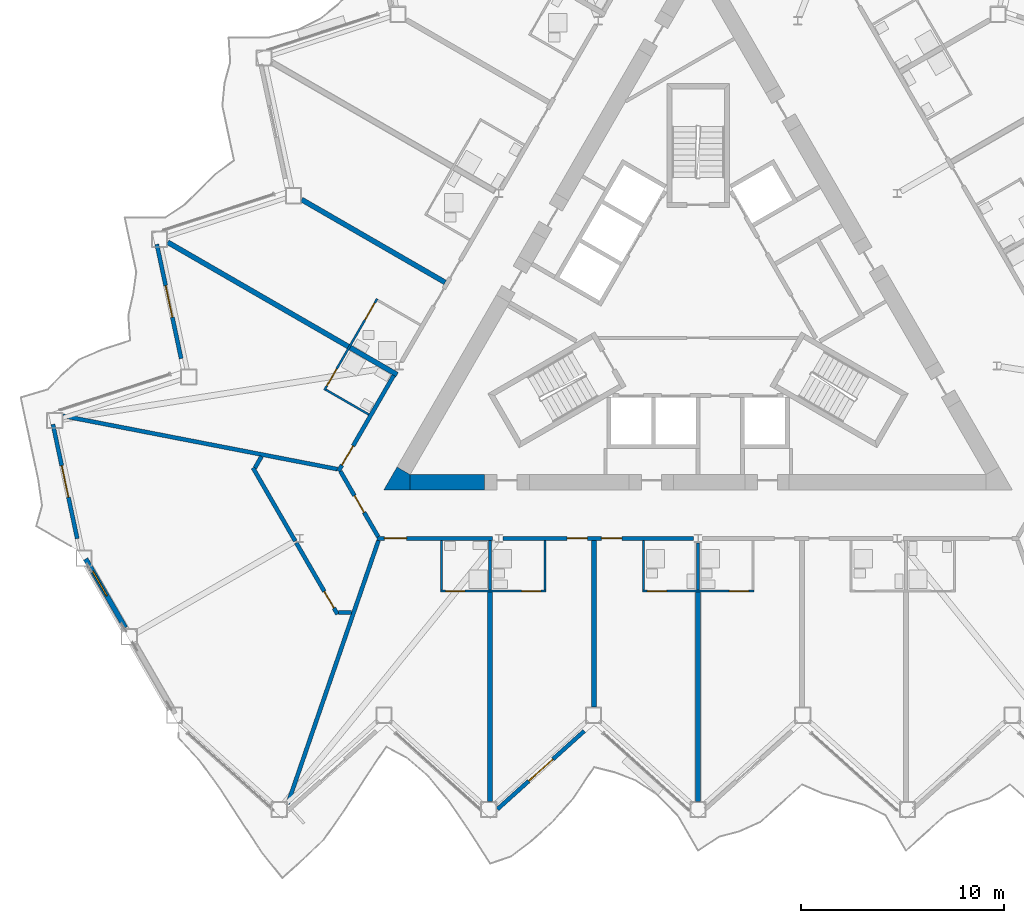
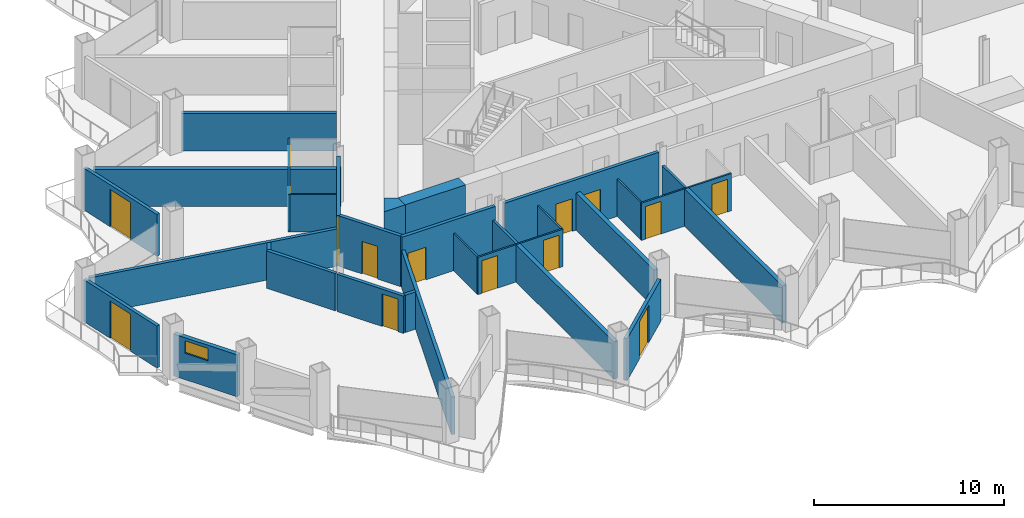
# One storey, part 10 of 23: 30 walls, 15 doors, 1 window, 16 openings.
"""IFC4 building model written with IfcOpenShell, lengths in metres."""

from ifc_helpers import new_model, si_unit, direction, frame, frame_2d, origin, place, context, subcontext, project, spatial, polyline, rectangle, outline, extrude, material, layer, layer_set, type_object, element, fill, save


model = new_model("IFC4")

# Units and contexts
model_context = context("Model", 3, precision=1e-05, world=origin(), true_north=direction((0.0, 1.0)))
body_context = subcontext(model_context, "Body", "Model", "MODEL_VIEW")
ifc_project = project(units=[si_unit("LENGTHUNIT", "METRE"), si_unit("AREAUNIT", "SQUARE_METRE"), si_unit("VOLUMEUNIT", "CUBIC_METRE"), si_unit("PLANEANGLEUNIT", "RADIAN"), si_unit("MASSUNIT", "GRAM", prefix="KILO")], contexts=[model_context])

# Site, building, storey
site_placement = place(None, origin())
site = spatial("IfcSite", under=ifc_project, at=site_placement, CompositionType="ELEMENT")
building_placement = place(site_placement, origin())
building = spatial("IfcBuilding", under=site, at=building_placement, Name="Cormorant Prow Tower", CompositionType="ELEMENT")
storey_placement = place(building_placement, frame((0.0, 0.0, 187.199951171875)))
storey = spatial("IfcBuildingStorey", under=building, at=storey_placement, Name="L40", CompositionType="ELEMENT", Elevation=187.199951171875)

# Walls
ifc_material_1 = material(Name="Concrete 8000 psi", Category="concrete")
ifc_layer_1 = layer(ifc_material_1, 0.75)
ifc_layer_set_1 = layer_set([ifc_layer_1], Name="Concrete 8000 psi")
wall_type_1 = type_object("IfcWallType", Name="Core shear wall 750", PredefinedType="SHEAR", material=ifc_layer_set_1)
wall_1_placement = place(storey_placement, frame((-14.200927734375, -8.573974609375, 0.0), z_axis=(0.0, 0.0, 1.0), x_axis=(1.0, 0.0, 0.0)))
element("IfcWall", 1, at=wall_1_placement, inside=storey, type_object=wall_type_1, Name="Core wall", PredefinedType="SHEAR", context=body_context, shape_type="SweptSolid", body=[
    extrude(rectangle(XDim=3.675537109375, YDim=0.75, at=frame_2d((1.837890625, 0.0))), origin(), (0.0, 0.0, 1.0), 3.25),
])
wall_2_placement = place(storey_placement, origin())
element("IfcWall", 2, at=wall_2_placement, inside=storey, type_object=wall_type_1, Name="Core wall corner", PredefinedType="SHEAR", context=body_context, shape_type="SweptSolid", body=[
    extrude(outline(polyline([(-14.8505859375, -7.823974609375), (-14.200927734375, -8.198974609375), (-14.200927734375, -8.948974609375), (-15.5, -8.948974609375), (-14.8505859375, -7.823974609375)])), origin(), (0.0, 0.0, 1.0), 3.25),
])

# Wall, openings, doors
ifc_material_2 = material(Name="Gypsum board corridor wall")
ifc_layer_2 = layer(ifc_material_2, 0.199951171875)
ifc_layer_set_2 = layer_set([ifc_layer_2], Name="Gypsum board corridor wall")
wall_type_2 = type_object("IfcWallType", Name="Corridor wall 200", PredefinedType="PARTITIONING", material=ifc_layer_set_2)
wall_3_placement = place(storey_placement, frame((-9.61474609375, -11.348876953125, 0.0), z_axis=(0.0, 0.0, 1.0), x_axis=(1.0, 0.0, 0.0)))
wall_3 = element("IfcWall", 3, at=wall_3_placement, inside=storey, type_object=wall_type_2, Name="Corridor wall", PredefinedType="PARTITIONING", context=body_context, shape_type="SweptSolid", body=[
    extrude(rectangle(XDim=9.401123046875, YDim=0.199951171875, at=frame_2d((4.70068359375, 0.0))), origin(), (0.0, 0.0, 1.0), 3.25),
])
opening_1_placement = place(wall_3_placement, frame((3.150390625, 0.0, 0.0)))
opening_1 = element("IfcOpeningElement", 4, at=opening_1_placement, cuts=wall_3, Name="Opening L40-F03", PredefinedType="OPENING", context=body_context, shape_type="SweptSolid", body=[
    extrude(rectangle(XDim=1.0, YDim=2.10009765625, at=frame_2d((0.5, 1.050048828125))), frame((0.0, 0.10986328125, 0.0), z_axis=(0.0, -1.0, 0.0), x_axis=(1.0, 0.0, 0.0)), (0.0, 0.0, 1.0), 0.219970703125),
])
opening_2_placement = place(wall_3_placement, frame((4.8505859375, 0.0, 0.0)))
opening_2 = element("IfcOpeningElement", 5, at=opening_2_placement, cuts=wall_3, Name="Opening L40-F05", PredefinedType="OPENING", context=body_context, shape_type="SweptSolid", body=[
    extrude(rectangle(XDim=1.0, YDim=2.10009765625, at=frame_2d((0.5, 1.050048828125))), frame((0.0, 0.10986328125, 0.0), z_axis=(0.0, -1.0, 0.0), x_axis=(1.0, 0.0, 0.0)), (0.0, 0.0, 1.0), 0.219970703125),
])
ifc_material_3 = material(Name="Timber door leaf", Category="wood")
door_type_1 = type_object("IfcDoorType", Name="Flat or room entrance door 1000x2100", OperationType="NOTDEFINED", PredefinedType="DOOR", material=ifc_material_3)
door_1_placement = place(opening_1_placement, origin())
door_1 = element("IfcDoor", 6, at=door_1_placement, inside=storey, type_object=door_type_1, Name="Guest room door", OperationType="SINGLE_SWING_RIGHT", OverallHeight=2.10009765625, OverallWidth=1.0, PredefinedType="DOOR", context=body_context, shape_type="SweptSolid", body=[
    extrude(rectangle(XDim=1.0, YDim=2.10009765625, at=frame_2d((0.5, 1.050048828125))), frame((0.0, 0.02490234375, 0.0), z_axis=(0.0, -1.0, 0.0), x_axis=(1.0, 0.0, 0.0)), (0.0, 0.0, 1.0), 0.050048828125),
])
fill(opening_1, door_1)
door_2_placement = place(opening_2_placement, origin())
door_2 = element("IfcDoor", 7, at=door_2_placement, inside=storey, type_object=door_type_1, Name="Guest room door", OperationType="SINGLE_SWING_LEFT", OverallHeight=2.10009765625, OverallWidth=1.0, PredefinedType="DOOR", context=body_context, shape_type="SweptSolid", body=[
    extrude(rectangle(XDim=1.0, YDim=2.10009765625, at=frame_2d((0.5, 1.050048828125))), frame((0.0, 0.02490234375, 0.0), z_axis=(0.0, -1.0, 0.0), x_axis=(1.0, 0.0, 0.0)), (0.0, 0.0, 1.0), 0.050048828125),
])
fill(opening_2, door_2)

# Wall, opening, door
wall_4_placement = place(storey_placement, frame((-15.830810546875, -11.348876953125, 0.0), z_axis=(0.0, 0.0, 1.0), x_axis=(1.0, 0.0, 0.0)))
wall_4 = element("IfcWall", 8, at=wall_4_placement, inside=storey, type_object=wall_type_2, Name="Corridor wall", PredefinedType="PARTITIONING", context=body_context, shape_type="SweptSolid", body=[
    extrude(rectangle(XDim=5.6865234375, YDim=0.199951171875, at=frame_2d((2.84326171875, 0.0))), origin(), (0.0, 0.0, 1.0), 3.25),
])
opening_3_placement = place(wall_4_placement, frame((0.35205078125, 0.0, 0.0)))
opening_3 = element("IfcOpeningElement", 9, at=opening_3_placement, cuts=wall_4, Name="Opening L40-F01", PredefinedType="OPENING", context=body_context, shape_type="SweptSolid", body=[
    extrude(rectangle(XDim=1.10009765625, YDim=2.10009765625, at=frame_2d((0.550048828125, 1.050048828125))), frame((0.0, 0.10986328125, 0.0), z_axis=(0.0, -1.0, 0.0), x_axis=(1.0, 0.0, 0.0)), (0.0, 0.0, 1.0), 0.219970703125),
])
ifc_material_4 = material(Name="Timber door leaf", Category="wood")
door_type_2 = type_object("IfcDoorType", Name="Suite entrance door 1100x2100", OperationType="NOTDEFINED", PredefinedType="DOOR", material=ifc_material_4)
door_3_placement = place(opening_3_placement, origin())
door_3 = element("IfcDoor", 10, at=door_3_placement, inside=storey, type_object=door_type_2, Name="Junior suite door", OperationType="SINGLE_SWING_LEFT", OverallHeight=2.10009765625, OverallWidth=1.10009765625, PredefinedType="DOOR", context=body_context, shape_type="SweptSolid", body=[
    extrude(rectangle(XDim=1.10009765625, YDim=2.10009765625, at=frame_2d((0.550048828125, 1.050048828125))), frame((0.0, 0.02490234375, 0.0), z_axis=(0.0, -1.0, 0.0), x_axis=(1.0, 0.0, 0.0)), (0.0, 0.0, 1.0), 0.050048828125),
])
fill(opening_3, door_3)

wall_5_placement = place(storey_placement, frame((-17.743896484375, -8.035400390625, 0.0), z_axis=(0.0, 0.0, 1.0), x_axis=(0.49998041698, 0.866036709751, 0.0)))
wall_5 = element("IfcWall", 11, at=wall_5_placement, inside=storey, type_object=wall_type_2, Name="Corridor wall", PredefinedType="PARTITIONING", context=body_context, shape_type="SweptSolid", body=[
    extrude(rectangle(XDim=5.461669921875, YDim=0.199951171875, at=frame_2d((2.73095703125, 0.0))), origin(), (0.0, 0.0, 1.0), 3.25),
])
opening_4_placement = place(wall_5_placement, frame((0.3515625, 0.0, 0.0)))
opening_4 = element("IfcOpeningElement", 12, at=opening_4_placement, cuts=wall_5, Name="Opening L40-F34", PredefinedType="OPENING", context=body_context, shape_type="SweptSolid", body=[
    extrude(rectangle(XDim=1.10009765625, YDim=2.10009765625, at=frame_2d((0.550048828125, 1.050048828125))), frame((0.0, 0.10986328125, 0.0), z_axis=(0.0, -1.0, 0.0), x_axis=(1.0, 0.0, 0.0)), (0.0, 0.0, 1.0), 0.219970703125),
])
door_4_placement = place(opening_4_placement, origin())
door_4 = element("IfcDoor", 13, at=door_4_placement, inside=storey, type_object=door_type_2, Name="Junior suite door", OperationType="SINGLE_SWING_LEFT", OverallHeight=2.10009765625, OverallWidth=1.10009765625, PredefinedType="DOOR", context=body_context, shape_type="SweptSolid", body=[
    extrude(rectangle(XDim=1.10009765625, YDim=2.10009765625, at=frame_2d((0.550048828125, 1.050048828125))), frame((0.0, 0.02490234375, 0.0), z_axis=(0.0, -1.0, 0.0), x_axis=(1.0, 0.0, 0.0)), (0.0, 0.0, 1.0), 0.050048828125),
])
fill(opening_4, door_4)

wall_6_placement = place(storey_placement, frame((-17.643798828125, -8.035400390625, 0.0), z_axis=(0.0, 0.0, 1.0), x_axis=(0.499958791762, -0.866049194065, 0.0)))
wall_6 = element("IfcWall", 14, at=wall_6_placement, inside=storey, type_object=wall_type_2, Name="Corridor wall", PredefinedType="PARTITIONING", context=body_context, shape_type="SweptSolid", body=[
    extrude(rectangle(XDim=3.725830078125, YDim=0.199951171875, at=frame_2d((1.86279296875, 0.0))), origin(), (0.0, 0.0, 1.0), 3.25),
])
opening_5_placement = place(wall_6_placement, frame((1.387939453125, 0.0, 0.0)))
opening_5 = element("IfcOpeningElement", 15, at=opening_5_placement, cuts=wall_6, Name="Opening L40-F36", PredefinedType="OPENING", context=body_context, shape_type="SweptSolid", body=[
    extrude(rectangle(XDim=0.949951171875, YDim=2.10009765625, at=frame_2d((0.47509765625, 1.050048828125))), frame((0.0, 0.10986328125, 0.0), z_axis=(0.0, -1.0, 0.0), x_axis=(1.0, 0.0, 0.0)), (0.0, 0.0, 1.0), 0.219970703125),
])
ifc_material_5 = material(Name="Timber door leaf", Category="wood")
door_type_3 = type_object("IfcDoorType", Name="Store door 950x2100", OperationType="NOTDEFINED", PredefinedType="DOOR", material=ifc_material_5)
door_5_placement = place(opening_5_placement, origin())
door_5 = element("IfcDoor", 16, at=door_5_placement, inside=storey, type_object=door_type_3, Name="Guest pantry door", OperationType="SINGLE_SWING_LEFT", OverallHeight=2.10009765625, OverallWidth=0.949951171875, PredefinedType="DOOR", context=body_context, shape_type="SweptSolid", body=[
    extrude(rectangle(XDim=0.949951171875, YDim=2.10009765625, at=frame_2d((0.47509765625, 1.050048828125))), frame((0.0, 0.02490234375, 0.0), z_axis=(0.0, -1.0, 0.0), x_axis=(1.0, 0.0, 0.0)), (0.0, 0.0, 1.0), 0.050048828125),
])
fill(opening_5, door_5)

# Walls
ifc_material_6 = material(Name="Gypsum board demising wall")
ifc_layer_3 = layer(ifc_material_6, 0.199951171875)
ifc_layer_set_3 = layer_set([ifc_layer_3], Name="Gypsum board demising wall")
wall_type_3 = type_object("IfcWallType", Name="Demising wall 200", PredefinedType="PARTITIONING", material=ifc_layer_set_3)
wall_7_placement = place(storey_placement, frame((-31.3291015625, -5.303466796875, 0.0), z_axis=(0.0, 0.0, 1.0), x_axis=(0.981696755608, -0.190450728612, 0.0)))
element("IfcWall", 17, at=wall_7_placement, inside=storey, type_object=wall_type_3, Name="Demising wall", PredefinedType="PARTITIONING", context=body_context, shape_type="SweptSolid", body=[
    extrude(rectangle(XDim=13.78955078125, YDim=0.199951171875, at=frame_2d((6.894775390625, 0.0))), origin(), (0.0, 0.0, 1.0), 2.404296875),
])
wall_8_placement = place(storey_placement, frame((-20.248779296875, -24.455078125, 0.0), z_axis=(0.0, 0.0, 1.0), x_axis=(0.325902118519, 0.945403516571, 0.0)))
element("IfcWall", 18, at=wall_8_placement, inside=storey, type_object=wall_type_3, Name="Demising wall", PredefinedType="PARTITIONING", context=body_context, shape_type="SweptSolid", body=[
    extrude(rectangle(XDim=13.762939453125, YDim=0.199951171875, at=frame_2d((6.88134765625, 0.0))), origin(), (0.0, 0.0, 1.0), 2.404296875),
])
wall_9_placement = place(storey_placement, frame((-21.95849609375, -7.8623046875, 0.0), z_axis=(0.0, 0.0, 1.0), x_axis=(0.499987304225, -0.866032733569, 0.0)))
element("IfcWall", 19, at=wall_9_placement, inside=storey, type_object=wall_type_3, Name="Demising wall", PredefinedType="PARTITIONING", context=body_context, shape_type="SweptSolid", body=[
    extrude(rectangle(XDim=4.17578125, YDim=0.199951171875, at=frame_2d((2.087890625, 0.0))), origin(), (0.0, 0.0, 1.0), 2.404296875),
])

# Wall, opening, door
wall_10_placement = place(storey_placement, frame((-19.822265625, -11.5625, 0.0), z_axis=(0.0, 0.0, 1.0), x_axis=(0.499992600721, -0.866029675718, 0.0)))
wall_10 = element("IfcWall", 20, at=wall_10_placement, inside=storey, type_object=wall_type_3, Name="Demising wall", PredefinedType="PARTITIONING", context=body_context, shape_type="SweptSolid", body=[
    extrude(rectangle(XDim=4.06787109375, YDim=0.199951171875, at=frame_2d((2.033935546875, 0.0))), origin(), (0.0, 0.0, 1.0), 2.404296875),
])
opening_6_placement = place(wall_10_placement, frame((2.76708984375, 0.0, 0.0)))
opening_6 = element("IfcOpeningElement", 21, at=opening_6_placement, cuts=wall_10, Name="Opening L40-F37", PredefinedType="OPENING", context=body_context, shape_type="SweptSolid", body=[
    extrude(rectangle(XDim=0.949951171875, YDim=2.10009765625, at=frame_2d((0.47509765625, 1.050048828125))), frame((0.0, 0.10986328125, 0.0), z_axis=(0.0, -1.0, 0.0), x_axis=(1.0, 0.0, 0.0)), (0.0, 0.0, 1.0), 0.219970703125),
])
door_6_placement = place(opening_6_placement, origin())
door_6 = element("IfcDoor", 22, at=door_6_placement, inside=storey, type_object=door_type_3, Name="Luggage store door", OperationType="SINGLE_SWING_RIGHT", OverallHeight=2.10009765625, OverallWidth=0.949951171875, PredefinedType="DOOR", context=body_context, shape_type="SweptSolid", body=[
    extrude(rectangle(XDim=0.949951171875, YDim=2.10009765625, at=frame_2d((0.47509765625, 1.050048828125))), frame((0.0, 0.02490234375, 0.0), z_axis=(0.0, -1.0, 0.0), x_axis=(1.0, 0.0, 0.0)), (0.0, 0.0, 1.0), 0.050048828125),
])
fill(opening_6, door_6)

# Walls
for number, where, z_axis, x_axis, name in (
    (23, (-21.858642578125, -7.8623046875, 0.0), (0.0, 0.0, 1.0), (0.500102178127, 0.865966403178, 0.0), "Demising wall"),
    (24, (-17.73828125, -14.998779296875, 0.0), (0.0, 0.0, 1.0), (1.0, 0.0, 0.0), "Demising wall"),
):
    element("IfcWall", number, at=place(storey_placement, frame(where, z_axis=z_axis, x_axis=x_axis)), inside=storey, type_object=wall_type_3, Name=name, PredefinedType="PARTITIONING", context=body_context, shape_type="SweptSolid", body=[
        extrude(rectangle(XDim=0.649169921875, YDim=0.199951171875, at=frame_2d((0.32470703125, 0.0))), origin(), (0.0, 0.0, 1.0), 2.404296875),
    ])

# Wall, openings, doors
ifc_material_7 = material(Name="Gypsum board partition")
ifc_layer_4 = layer(ifc_material_7, 0.10009765625)
ifc_layer_set_4 = layer_set([ifc_layer_4], Name="Gypsum board partition")
wall_type_4 = type_object("IfcWallType", Name="Internal partition 100", PredefinedType="PARTITIONING", material=ifc_layer_set_4)
wall_11_placement = place(storey_placement, frame((-2.75, -13.948974609375, 0.0), z_axis=(0.0, 0.0, 1.0), x_axis=(1.0, 0.0, 0.0)))
wall_11 = element("IfcWall", 25, at=wall_11_placement, inside=storey, type_object=wall_type_4, Name="Internal partition", PredefinedType="PARTITIONING", context=body_context, shape_type="SweptSolid", body=[
    extrude(rectangle(XDim=5.5, YDim=0.10009765625, at=frame_2d((2.75, 0.0))), origin(), (0.0, 0.0, 1.0), 2.404296875),
])
opening_7_placement = place(wall_11_placement, frame((0.25, 0.0, 0.0)))
opening_7 = element("IfcOpeningElement", 26, at=opening_7_placement, cuts=wall_11, Name="Opening L40-F06", PredefinedType="OPENING", context=body_context, shape_type="SweptSolid", body=[
    extrude(rectangle(XDim=0.949951171875, YDim=2.10009765625, at=frame_2d((0.47509765625, 1.050048828125))), frame((0.0, 0.06005859375, 0.0), z_axis=(0.0, -1.0, 0.0), x_axis=(1.0, 0.0, 0.0)), (0.0, 0.0, 1.0), 0.1201171875),
])
opening_8_placement = place(wall_11_placement, frame((4.300048828125, 0.0, 0.0)))
opening_8 = element("IfcOpeningElement", 27, at=opening_8_placement, cuts=wall_11, Name="Opening L40-F08", PredefinedType="OPENING", context=body_context, shape_type="SweptSolid", body=[
    extrude(rectangle(XDim=0.949951171875, YDim=2.10009765625, at=frame_2d((0.47509765625, 1.050048828125))), frame((0.0, 0.06005859375, 0.0), z_axis=(0.0, -1.0, 0.0), x_axis=(1.0, 0.0, 0.0)), (0.0, 0.0, 1.0), 0.1201171875),
])
ifc_material_8 = material(Name="Timber door leaf", Category="wood")
door_type_4 = type_object("IfcDoorType", Name="Bathroom door 950x2100", OperationType="NOTDEFINED", PredefinedType="DOOR", material=ifc_material_8)
door_7_placement = place(opening_7_placement, origin())
door_7 = element("IfcDoor", 28, at=door_7_placement, inside=storey, type_object=door_type_4, Name="Guest room door", OperationType="SINGLE_SWING_LEFT", OverallHeight=2.10009765625, OverallWidth=0.949951171875, PredefinedType="DOOR", context=body_context, shape_type="SweptSolid", body=[
    extrude(rectangle(XDim=0.949951171875, YDim=2.10009765625, at=frame_2d((0.47509765625, 1.050048828125))), frame((0.0, 0.02490234375, 0.0), z_axis=(0.0, -1.0, 0.0), x_axis=(1.0, 0.0, 0.0)), (0.0, 0.0, 1.0), 0.050048828125),
])
fill(opening_7, door_7)
door_8_placement = place(opening_8_placement, origin())
door_8 = element("IfcDoor", 29, at=door_8_placement, inside=storey, type_object=door_type_4, Name="Guest room door", OperationType="SINGLE_SWING_RIGHT", OverallHeight=2.10009765625, OverallWidth=0.949951171875, PredefinedType="DOOR", context=body_context, shape_type="SweptSolid", body=[
    extrude(rectangle(XDim=0.949951171875, YDim=2.10009765625, at=frame_2d((0.47509765625, 1.050048828125))), frame((0.0, 0.02490234375, 0.0), z_axis=(0.0, -1.0, 0.0), x_axis=(1.0, 0.0, 0.0)), (0.0, 0.0, 1.0), 0.050048828125),
])
fill(opening_8, door_8)

wall_12_placement = place(storey_placement, frame((-12.7041015625, -13.948974609375, 0.0), z_axis=(0.0, 0.0, 1.0), x_axis=(1.0, 0.0, 0.0)))
wall_12 = element("IfcWall", 30, at=wall_12_placement, inside=storey, type_object=wall_type_4, Name="Internal partition", PredefinedType="PARTITIONING", context=body_context, shape_type="SweptSolid", body=[
    extrude(rectangle(XDim=5.199951171875, YDim=0.10009765625, at=frame_2d((2.60009765625, 0.0))), origin(), (0.0, 0.0, 1.0), 2.404296875),
])
opening_9_placement = place(wall_12_placement, frame((0.25, 0.0, 0.0)))
opening_9 = element("IfcOpeningElement", 31, at=opening_9_placement, cuts=wall_12, Name="Opening L40-F02", PredefinedType="OPENING", context=body_context, shape_type="SweptSolid", body=[
    extrude(rectangle(XDim=0.949951171875, YDim=2.10009765625, at=frame_2d((0.47509765625, 1.050048828125))), frame((0.0, 0.06005859375, 0.0), z_axis=(0.0, -1.0, 0.0), x_axis=(1.0, 0.0, 0.0)), (0.0, 0.0, 1.0), 0.1201171875),
])
opening_10_placement = place(wall_12_placement, frame((4.0, 0.0, 0.0)))
opening_10 = element("IfcOpeningElement", 32, at=opening_10_placement, cuts=wall_12, Name="Opening L40-F04", PredefinedType="OPENING", context=body_context, shape_type="SweptSolid", body=[
    extrude(rectangle(XDim=0.949951171875, YDim=2.10009765625, at=frame_2d((0.47509765625, 1.050048828125))), frame((0.0, 0.06005859375, 0.0), z_axis=(0.0, -1.0, 0.0), x_axis=(1.0, 0.0, 0.0)), (0.0, 0.0, 1.0), 0.1201171875),
])
door_9_placement = place(opening_9_placement, origin())
door_9 = element("IfcDoor", 33, at=door_9_placement, inside=storey, type_object=door_type_4, Name="Junior suite door", OperationType="SINGLE_SWING_LEFT", OverallHeight=2.10009765625, OverallWidth=0.949951171875, PredefinedType="DOOR", context=body_context, shape_type="SweptSolid", body=[
    extrude(rectangle(XDim=0.949951171875, YDim=2.10009765625, at=frame_2d((0.47509765625, 1.050048828125))), frame((0.0, 0.02490234375, 0.0), z_axis=(0.0, -1.0, 0.0), x_axis=(1.0, 0.0, 0.0)), (0.0, 0.0, 1.0), 0.050048828125),
])
fill(opening_9, door_9)
door_10_placement = place(opening_10_placement, origin())
door_10 = element("IfcDoor", 34, at=door_10_placement, inside=storey, type_object=door_type_4, Name="Guest room door", OperationType="SINGLE_SWING_RIGHT", OverallHeight=2.10009765625, OverallWidth=0.949951171875, PredefinedType="DOOR", context=body_context, shape_type="SweptSolid", body=[
    extrude(rectangle(XDim=0.949951171875, YDim=2.10009765625, at=frame_2d((0.47509765625, 1.050048828125))), frame((0.0, 0.02490234375, 0.0), z_axis=(0.0, -1.0, 0.0), x_axis=(1.0, 0.0, 0.0)), (0.0, 0.0, 1.0), 0.050048828125),
])
fill(opening_10, door_10)

wall_13_placement = place(storey_placement, frame((-18.43212890625, -4.027587890625, 0.0), z_axis=(0.0, 0.0, 1.0), x_axis=(0.499992051641, 0.866029992723, 0.0)))
wall_13 = element("IfcWall", 35, at=wall_13_placement, inside=storey, type_object=wall_type_4, Name="Internal partition", PredefinedType="PARTITIONING", context=body_context, shape_type="SweptSolid", body=[
    extrude(rectangle(XDim=5.19970703125, YDim=0.10009765625, at=frame_2d((2.599853515625, 0.0))), origin(), (0.0, 0.0, 1.0), 2.404296875),
])
opening_11_placement = place(wall_13_placement, frame((4.0, 0.0, 0.0)))
opening_11 = element("IfcOpeningElement", 36, at=opening_11_placement, cuts=wall_13, Name="Opening L40-F33", PredefinedType="OPENING", context=body_context, shape_type="SweptSolid", body=[
    extrude(rectangle(XDim=0.949951171875, YDim=2.10009765625, at=frame_2d((0.47509765625, 1.050048828125))), frame((0.0, 0.06005859375, 0.0), z_axis=(0.0, -1.0, 0.0), x_axis=(1.0, 0.0, 0.0)), (0.0, 0.0, 1.0), 0.1201171875),
])
opening_12_placement = place(wall_13_placement, frame((0.25, 0.0, 0.0)))
opening_12 = element("IfcOpeningElement", 37, at=opening_12_placement, cuts=wall_13, Name="Opening L40-F35", PredefinedType="OPENING", context=body_context, shape_type="SweptSolid", body=[
    extrude(rectangle(XDim=0.949951171875, YDim=2.10009765625, at=frame_2d((0.47509765625, 1.050048828125))), frame((0.0, 0.06005859375, 0.0), z_axis=(0.0, -1.0, 0.0), x_axis=(1.0, 0.0, 0.0)), (0.0, 0.0, 1.0), 0.1201171875),
])
door_11_placement = place(opening_11_placement, origin())
door_11 = element("IfcDoor", 38, at=door_11_placement, inside=storey, type_object=door_type_4, Name="Guest room door", OperationType="SINGLE_SWING_RIGHT", OverallHeight=2.10009765625, OverallWidth=0.949951171875, PredefinedType="DOOR", context=body_context, shape_type="SweptSolid", body=[
    extrude(rectangle(XDim=0.949951171875, YDim=2.10009765625, at=frame_2d((0.47509765625, 1.050048828125))), frame((0.0, 0.02490234375, 0.0), z_axis=(0.0, -1.0, 0.0), x_axis=(1.0, 0.0, 0.0)), (0.0, 0.0, 1.0), 0.050048828125),
])
fill(opening_11, door_11)
door_12_placement = place(opening_12_placement, origin())
door_12 = element("IfcDoor", 39, at=door_12_placement, inside=storey, type_object=door_type_4, Name="Junior suite door", OperationType="SINGLE_SWING_LEFT", OverallHeight=2.10009765625, OverallWidth=0.949951171875, PredefinedType="DOOR", context=body_context, shape_type="SweptSolid", body=[
    extrude(rectangle(XDim=0.949951171875, YDim=2.10009765625, at=frame_2d((0.47509765625, 1.050048828125))), frame((0.0, 0.02490234375, 0.0), z_axis=(0.0, -1.0, 0.0), x_axis=(1.0, 0.0, 0.0)), (0.0, 0.0, 1.0), 0.050048828125),
])
fill(opening_12, door_12)

# Walls
for number, where, z_axis, x_axis, name in (
    (40, (-18.364013671875, -4.009521484375, 0.0), (0.0, 0.0, 1.0), (0.866057815567, -0.499943856944, 0.0), "Internal partition"),
    (41, (-12.654296875, -13.89892578125, 0.0), (0.0, 0.0, 1.0), (0.0, 1.0, 0.0), "Internal partition"),
    (42, (-7.55419921875, -13.89892578125, 0.0), (0.0, 0.0, 1.0), (0.0, 1.0, 0.0), "Internal partition"),
    (43, (-2.699951171875, -13.89892578125, 0.0), (0.0, 0.0, 1.0), (0.0, 1.0, 0.0), "Internal partition"),
):
    element("IfcWall", number, at=place(storey_placement, frame(where, z_axis=z_axis, x_axis=x_axis)), inside=storey, type_object=wall_type_4, Name=name, PredefinedType="PARTITIONING", context=body_context, shape_type="SweptSolid", body=[
        extrude(rectangle(XDim=2.449951171875, YDim=0.10009765625, at=frame_2d((1.22509765625, 0.0))), origin(), (0.0, 0.0, 1.0), 2.404296875),
    ])
ifc_material_9 = material(Name="Acoustic gypsum party wall")
ifc_layer_5 = layer(ifc_material_9, 0.25)
ifc_layer_set_5 = layer_set([ifc_layer_5], Name="Acoustic gypsum party wall")
wall_type_5 = type_object("IfcWallType", Name="Suite party wall 250", PredefinedType="PARTITIONING", material=ifc_layer_set_5)
wall_14_placement = place(storey_placement, frame((-26.164306640625, 3.265380859375, 0.0), z_axis=(0.0, 0.0, 1.0), x_axis=(0.866021313335, -0.500007084799, 0.0)))
element("IfcWall", 44, at=wall_14_placement, inside=storey, type_object=wall_type_5, Name="Suite party wall", PredefinedType="PARTITIONING", context=body_context, shape_type="SweptSolid", body=[
    extrude(rectangle(XDim=13.067626953125, YDim=0.25, at=frame_2d((6.53369140625, 0.0))), origin(), (0.0, 0.0, 1.0), 2.404296875),
])
for number, where, z_axis, x_axis, name in (
    (45, (-10.254150390625, -24.3115234375, 0.0), (0.0, 0.0, 1.0), (0.0, 1.0, 0.0), "Suite party wall"),
    (46, (0.0, -24.3115234375, 0.0), (0.0, 0.0, 1.0), (0.0, 1.0, 0.0), "Suite party wall"),
):
    element("IfcWall", number, at=place(storey_placement, frame(where, z_axis=z_axis, x_axis=x_axis)), inside=storey, type_object=wall_type_5, Name=name, PredefinedType="PARTITIONING", context=body_context, shape_type="SweptSolid", body=[
        extrude(rectangle(XDim=10.312744140625, YDim=0.25, at=frame_2d((5.15625, 0.0))), origin(), (0.0, 0.0, 1.0), 2.404296875),
    ])
wall_15_placement = place(storey_placement, frame((-5.127197265625, -19.661376953125, 0.0), z_axis=(0.0, 0.0, 1.0), x_axis=(0.0, 1.0, 0.0)))
element("IfcWall", 47, at=wall_15_placement, inside=storey, type_object=wall_type_5, Name="Suite party wall", PredefinedType="PARTITIONING", context=body_context, shape_type="SweptSolid", body=[
    extrude(rectangle(XDim=8.21240234375, YDim=0.25, at=frame_2d((4.106201171875, 0.0))), origin(), (0.0, 0.0, 1.0), 2.404296875),
])
wall_16_placement = place(storey_placement, frame((-19.5546875, 5.36962890625, 0.0), z_axis=(0.0, 0.0, 1.0), x_axis=(0.866024371346, -0.500001788232, 0.0)))
element("IfcWall", 48, at=wall_16_placement, inside=storey, type_object=wall_type_5, Name="Suite party wall", PredefinedType="PARTITIONING", context=body_context, shape_type="SweptSolid", body=[
    extrude(rectangle(XDim=8.1708984375, YDim=0.25, at=frame_2d((4.08544921875, 0.0))), origin(), (0.0, 0.0, 1.0), 2.404296875),
])

# Wall, opening, window
ifc_material_10 = material(Name="Terracotta", Category="masonry")
ifc_layer_6 = layer(ifc_material_10, 0.25)
ifc_layer_set_6 = layer_set([ifc_layer_6], Name="Terracotta")
wall_type_6 = type_object("IfcWallType", Name="Terracotta bay wall 250", PredefinedType="SOLIDWALL", material=ifc_layer_set_6)
wall_17_placement = place(storey_placement, frame((-30.215087890625, -12.359619140625, 0.0), z_axis=(0.0, 0.0, 1.0), x_axis=(0.499995984904, -0.866027721889, 0.0)))
wall_17 = element("IfcWall", 49, at=wall_17_placement, inside=storey, type_object=wall_type_6, Name="Terracotta bay wall WSW00", PredefinedType="SOLIDWALL", context=body_context, shape_type="SweptSolid", body=[
    extrude(rectangle(XDim=3.91455078125, YDim=0.25, at=frame_2d((1.957275390625, 0.0))), origin(), (0.0, 0.0, 1.0), 2.700927734375),
])
opening_13_placement = place(wall_17_placement, frame((0.699951171875, 0.0, 1.699951171875)))
opening_13 = element("IfcOpeningElement", 50, at=opening_13_placement, cuts=wall_17, Name="Opening WN3", PredefinedType="OPENING", context=body_context, shape_type="SweptSolid", body=[
    extrude(rectangle(XDim=1.39990234375, YDim=0.800048828125, at=frame_2d((0.699951171875, 0.39990234375))), frame((0.0, 0.135009765625, 0.0), z_axis=(0.0, -1.0, 0.0), x_axis=(1.0, 0.0, 0.0)), (0.0, 0.0, 1.0), 0.27001953125),
])
ifc_material_11 = material(Name="Aluminium 6063-T6", Category="aluminium")
window_type = type_object("IfcWindowType", Name="Corner bay window 1400x800", PartitioningType="SINGLE_PANEL", PredefinedType="WINDOW", material=ifc_material_11)
window_placement = place(opening_13_placement, origin())
window = element("IfcWindow", 51, at=window_placement, inside=storey, type_object=window_type, Name="Corner bay window WSW00", OverallHeight=0.800048828125, OverallWidth=1.39990234375, PartitioningType="SINGLE_PANEL", PredefinedType="WINDOW", context=body_context, shape_type="SweptSolid", body=[
    extrude(rectangle(XDim=1.39990234375, YDim=0.800048828125, at=frame_2d((0.699951171875, 0.39990234375))), frame((0.0, 0.030029296875, 0.0), z_axis=(0.0, -1.0, 0.0), x_axis=(1.0, 0.0, 0.0)), (0.0, 0.0, 1.0), 0.06005859375),
])
fill(opening_13, window)

# Wall, opening, door
ifc_material_12 = material(Name="Terracotta", Category="masonry")
ifc_layer_7 = layer(ifc_material_12, 0.199951171875)
ifc_layer_set_7 = layer_set([ifc_layer_7], Name="Terracotta")
wall_type_7 = type_object("IfcWallType", Name="Terracotta jamb wall 200", PredefinedType="SOLIDWALL", material=ifc_layer_set_7)
wall_18_placement = place(storey_placement, frame((-9.89892578125, -24.703857421875, 0.0), z_axis=(0.0, 0.0, 1.0), x_axis=(0.74312139518, 0.669156627424, 0.0)))
wall_18 = element("IfcWall", 52, at=wall_18_placement, inside=storey, type_object=wall_type_7, Name="Terracotta jamb wall S03", PredefinedType="SOLIDWALL", context=body_context, shape_type="SweptSolid", body=[
    extrude(rectangle(XDim=5.76318359375, YDim=0.199951171875, at=frame_2d((2.881591796875, 0.0))), origin(), (0.0, 0.0, 1.0), 2.700927734375),
])
opening_14_placement = place(wall_18_placement, frame((2.08154296875, 0.0, 0.0)))
opening_14 = element("IfcOpeningElement", 53, at=opening_14_placement, cuts=wall_18, Name="Opening ED40.02", PredefinedType="OPENING", context=body_context, shape_type="SweptSolid", body=[
    extrude(rectangle(XDim=1.60009765625, YDim=2.39990234375, at=frame_2d((0.800048828125, 1.199951171875))), frame((0.0, 0.10986328125, 0.0), z_axis=(0.0, -1.0, 0.0), x_axis=(1.0, 0.0, 0.0)), (0.0, 0.0, 1.0), 0.219970703125),
])
ifc_material_13 = material(Name="Aluminium 6063-T6", Category="aluminium")
door_type_5 = type_object("IfcDoorType", Name="Balcony door 1600x2400", OperationType="DOUBLE_DOOR_SINGLE_SWING", PredefinedType="DOOR", material=ifc_material_13)
door_13_placement = place(opening_14_placement, origin())
door_13 = element("IfcDoor", 54, at=door_13_placement, inside=storey, type_object=door_type_5, Name="Balcony door S03 ED40.02", OperationType="DOUBLE_DOOR_SINGLE_SWING", OverallHeight=2.39990234375, OverallWidth=1.60009765625, PredefinedType="DOOR", context=body_context, shape_type="SweptSolid", body=[
    extrude(rectangle(XDim=1.60009765625, YDim=2.39990234375, at=frame_2d((0.800048828125, 1.199951171875))), frame((0.0, 0.02490234375, 0.0), z_axis=(0.0, -1.0, 0.0), x_axis=(1.0, 0.0, 0.0)), (0.0, 0.0, 1.0), 0.050048828125),
])
fill(opening_14, door_13)

wall_19_placement = place(storey_placement, frame((-26.69873046875, 3.163818359375, 0.0), z_axis=(0.0, 0.0, 1.0), x_axis=(0.207914487103, -0.978147006361, 0.0)))
wall_19 = element("IfcWall", 55, at=wall_19_placement, inside=storey, type_object=wall_type_7, Name="Terracotta jamb wall WNW07", PredefinedType="SOLIDWALL", context=body_context, shape_type="SweptSolid", body=[
    extrude(rectangle(XDim=5.76318359375, YDim=0.199951171875, at=frame_2d((2.881591796875, 0.0))), origin(), (0.0, 0.0, 1.0), 2.700927734375),
])
opening_15_placement = place(wall_19_placement, frame((2.08154296875, 0.0, 0.0)))
opening_15 = element("IfcOpeningElement", 56, at=opening_15_placement, cuts=wall_19, Name="Opening ED40.14", PredefinedType="OPENING", context=body_context, shape_type="SweptSolid", body=[
    extrude(rectangle(XDim=1.60009765625, YDim=2.39990234375, at=frame_2d((0.800048828125, 1.199951171875))), frame((0.0, 0.10986328125, 0.0), z_axis=(0.0, -1.0, 0.0), x_axis=(1.0, 0.0, 0.0)), (0.0, 0.0, 1.0), 0.219970703125),
])
door_14_placement = place(opening_15_placement, origin())
door_14 = element("IfcDoor", 57, at=door_14_placement, inside=storey, type_object=door_type_5, Name="Balcony door WNW07 ED40.14", OperationType="DOUBLE_DOOR_SINGLE_SWING", OverallHeight=2.39990234375, OverallWidth=1.60009765625, PredefinedType="DOOR", context=body_context, shape_type="SweptSolid", body=[
    extrude(rectangle(XDim=1.60009765625, YDim=2.39990234375, at=frame_2d((0.800048828125, 1.199951171875))), frame((0.0, 0.02490234375, 0.0), z_axis=(0.0, -1.0, 0.0), x_axis=(1.0, 0.0, 0.0)), (0.0, 0.0, 1.0), 0.050048828125),
])
fill(opening_15, door_14)

wall_20_placement = place(storey_placement, frame((-31.825927734375, -5.716552734375, 0.0), z_axis=(0.0, 0.0, 1.0), x_axis=(0.207914487103, -0.978147006361, 0.0)))
wall_20 = element("IfcWall", 58, at=wall_20_placement, inside=storey, type_object=wall_type_7, Name="Terracotta jamb wall WNW09", PredefinedType="SOLIDWALL", context=body_context, shape_type="SweptSolid", body=[
    extrude(rectangle(XDim=5.76318359375, YDim=0.199951171875, at=frame_2d((2.881591796875, 0.0))), origin(), (0.0, 0.0, 1.0), 2.700927734375),
])
opening_16_placement = place(wall_20_placement, frame((2.08154296875, 0.0, 0.0)))
opening_16 = element("IfcOpeningElement", 59, at=opening_16_placement, cuts=wall_20, Name="Opening ED40.15", PredefinedType="OPENING", context=body_context, shape_type="SweptSolid", body=[
    extrude(rectangle(XDim=1.60009765625, YDim=2.39990234375, at=frame_2d((0.800048828125, 1.199951171875))), frame((0.0, 0.10986328125, 0.0), z_axis=(0.0, -1.0, 0.0), x_axis=(1.0, 0.0, 0.0)), (0.0, 0.0, 1.0), 0.219970703125),
])
door_15_placement = place(opening_16_placement, origin())
door_15 = element("IfcDoor", 60, at=door_15_placement, inside=storey, type_object=door_type_5, Name="Balcony door WNW09 ED40.15", OperationType="DOUBLE_DOOR_SINGLE_SWING", OverallHeight=2.39990234375, OverallWidth=1.60009765625, PredefinedType="DOOR", context=body_context, shape_type="SweptSolid", body=[
    extrude(rectangle(XDim=1.60009765625, YDim=2.39990234375, at=frame_2d((0.800048828125, 1.199951171875))), frame((0.0, 0.02490234375, 0.0), z_axis=(0.0, -1.0, 0.0), x_axis=(1.0, 0.0, 0.0)), (0.0, 0.0, 1.0), 0.050048828125),
])
fill(opening_16, door_15)

# Walls
ifc_material_14 = material(Name="Plasterboard wet wall with pipe chase")
ifc_layer_8 = layer(ifc_material_14, 0.14990234375)
ifc_layer_set_8 = layer_set([ifc_layer_8], Name="Plasterboard wet wall with pipe chase")
wall_type_8 = type_object("IfcWallType", Name="Wet wall 150", PredefinedType="PLUMBINGWALL", material=ifc_layer_set_8)
wall_21_placement = place(storey_placement, frame((-10.254150390625, -13.89892578125, 0.0), z_axis=(0.0, 0.0, 1.0), x_axis=(0.0, 1.0, 0.0)))
element("IfcWall", 61, at=wall_21_placement, inside=storey, type_object=wall_type_8, Name="Wet wall", PredefinedType="PLUMBINGWALL", context=body_context, shape_type="SweptSolid", body=[
    extrude(rectangle(XDim=2.449951171875, YDim=0.14990234375, at=frame_2d((1.22509765625, 0.0))), origin(), (0.0, 0.0, 1.0), 2.404296875),
])
wall_22_placement = place(storey_placement, frame((0.0, -13.89892578125, 0.0), z_axis=(0.0, 0.0, 1.0), x_axis=(0.0, 1.0, 0.0)))
element("IfcWall", 62, at=wall_22_placement, inside=storey, type_object=wall_type_8, Name="Wet wall", PredefinedType="PLUMBINGWALL", context=body_context, shape_type="SweptSolid", body=[
    extrude(rectangle(XDim=2.33642578125, YDim=0.14990234375, at=frame_2d((1.168212890625, 0.0))), origin(), (0.0, 0.0, 1.0), 2.404296875),
])

save(model, "model.ifc")
